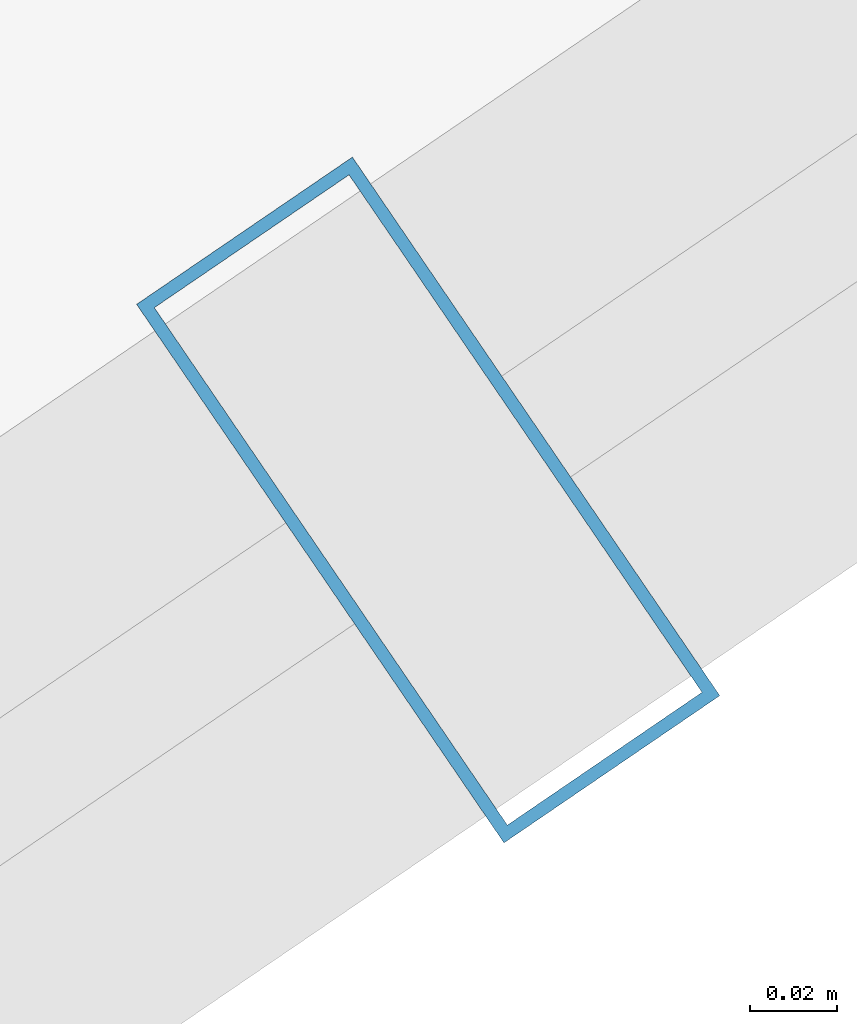
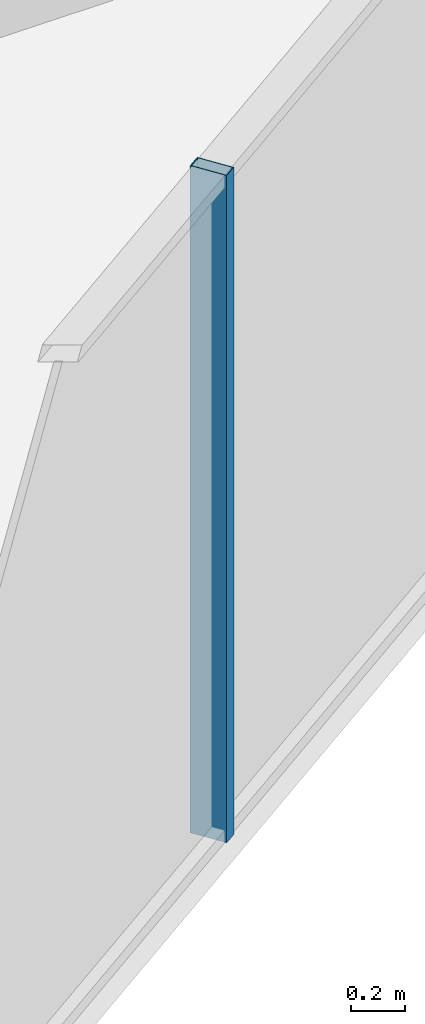
# One storey, part 8 of 34: 1 member, 1 element without a shape of its own.
"""IFC4 building model written with IfcOpenShell, lengths in metres."""

import ifcopenshell
import ifcopenshell.guid

model = None  # the IFC model being written
_history = None  # IfcOwnerHistory: only IFC2X3 demands one
_inside = {}  # id of a spatial element -> (the spatial element, [elements in it])
_under = {}  # id of a project, library or spatial element -> (it, [spatial elements below it])
_declared = {}  # id of a project -> (the project, [libraries it declares])
_typed = {}  # id of a type object -> (the type object, [elements of that type])
_made_of = {}  # id of a material, layer set ... -> (it, [elements and type objects made of it])


def new_model(schema):
    """Start an empty IFC model of exactly this schema.

    Asked for "IFC4X3", IfcOpenShell would pick the latest addendum, in which some entities
    have other attributes; the version numbers below select the first issue.
    IFC2X3 requires an IfcOwnerHistory on every rooted entity: one is made here for all.
    """
    global model, _history
    if schema == "IFC4X3":
        model = ifcopenshell.file(schema_version=(4, 3, 0, 0))
    else:
        model = ifcopenshell.file(schema=schema)
    _inside.clear()
    _under.clear()
    _declared.clear()
    _typed.clear()
    _made_of.clear()
    _history = None
    if model.schema == "IFC2X3":
        org = make("IfcOrganization", Name="unknown")
        user = make(
            "IfcPersonAndOrganization",
            ThePerson=make("IfcPerson", FamilyName="unknown"),
            TheOrganization=org,
        )
        app = make(
            "IfcApplication",
            ApplicationDeveloper=org,
            Version="unknown",
            ApplicationFullName="unknown",
            ApplicationIdentifier="unknown",
        )
        _history = make(
            "IfcOwnerHistory",
            OwningUser=user,
            OwningApplication=app,
            ChangeAction="ADDED",
            CreationDate=0,
        )
    return model


def make(cls, **values):
    """One entity of the class cls with the attributes given. An attribute that is None is left unset."""
    return model.create_entity(
        cls, **{name: value for name, value in values.items() if value is not None}
    )


def rooted(cls, **values):
    """An entity with a GlobalId (a new one), such as an element, a storey or a relation."""
    return make(cls, GlobalId=ifcopenshell.guid.new(), OwnerHistory=_history, **values)


def si_unit(unit_type, name, prefix=None):
    """IfcSIUnit, for example si_unit("LENGTHUNIT", "METRE", prefix="MILLI")."""
    return make("IfcSIUnit", UnitType=unit_type, Prefix=prefix, Name=name)


def assignment(units):
    """IfcUnitAssignment: the units of a project."""
    return None if units is None else make("IfcUnitAssignment", Units=units)


def point(xyz):
    """IfcCartesianPoint."""
    return None if xyz is None else make("IfcCartesianPoint", Coordinates=xyz)


def direction(xyz):
    """IfcDirection."""
    return None if xyz is None else make("IfcDirection", DirectionRatios=xyz)


def frame(location, z_axis=None, x_axis=None):
    """IfcAxis2Placement3D, a coordinate frame: its origin and axes. An axis left out is left unset."""
    return make(
        "IfcAxis2Placement3D",
        Location=point(location),
        Axis=direction(z_axis),
        RefDirection=direction(x_axis),
    )


def frame_2d(location, x_axis=None):
    """IfcAxis2Placement2D, a coordinate frame in the plane: its origin and x axis."""
    return make(
        "IfcAxis2Placement2D", Location=point(location), RefDirection=direction(x_axis)
    )


def origin():
    """The frame at (0, 0, 0) with its axes left unset."""
    return frame((0.0, 0.0, 0.0))


def origin_2d():
    """The frame at (0, 0) in the plane with its x axis left unset."""
    return frame_2d((0.0, 0.0))


def place(relative_to, where):
    """IfcLocalPlacement: puts the frame where relative to a parent placement (None: the world)."""
    return make(
        "IfcLocalPlacement", PlacementRelTo=relative_to, RelativePlacement=where
    )


def context(
    kind, dimensions, precision=None, world=None, true_north=None, identifier=None
):
    """IfcGeometricRepresentationContext, for example the 3D "Model" context."""
    return make(
        "IfcGeometricRepresentationContext",
        ContextIdentifier=identifier,
        ContextType=kind,
        CoordinateSpaceDimension=dimensions,
        Precision=precision,
        WorldCoordinateSystem=world,
        TrueNorth=true_north,
    )


def subcontext(parent, identifier, kind, view, scale=None):
    """IfcGeometricRepresentationSubContext, for example "Body" below "Model"."""
    return make(
        "IfcGeometricRepresentationSubContext",
        ContextIdentifier=identifier,
        ContextType=kind,
        ParentContext=parent,
        TargetScale=scale,
        TargetView=view,
    )


def project(units=None, contexts=None):
    """IfcProject with its units and contexts."""
    return rooted(
        "IfcProject",
        Name="project",
        RepresentationContexts=contexts,
        UnitsInContext=assignment(units),
    )


def spatial(cls, under=None, at=None, **own):
    """A site, building, storey or space (cls), placed at a placement, below another one or the project."""
    s = rooted(cls, ObjectPlacement=at, **own)
    if under is not None:
        _under.setdefault(under.id(), (under, []))[1].append(s)
    return s


def profile(cls, at=None, kind="AREA", **sizes):
    """A parametric profile (cls). Its sizes go by their IFC names, for example OverallWidth=200.0."""
    return make(cls, ProfileType=kind, Position=at, **sizes)


def hollow_rectangle(**sizes):
    """IfcRectangleHollowProfileDef."""
    return profile("IfcRectangleHollowProfileDef", **sizes)


def extrude(swept, where, along, depth):
    """IfcExtrudedAreaSolid: the profile swept, set in the frame where, extruded along a direction by depth."""
    return make(
        "IfcExtrudedAreaSolid",
        SweptArea=swept,
        Position=where,
        ExtrudedDirection=direction(along),
        Depth=depth,
    )


def shape(context_of_items, identifier, shape_type, items):
    """IfcShapeRepresentation: the items that make up one representation, for example the "Body"."""
    return make(
        "IfcShapeRepresentation",
        ContextOfItems=context_of_items,
        RepresentationIdentifier=identifier,
        RepresentationType=shape_type,
        Items=items,
    )


def source(mapping_origin, context_of_items, identifier, shape_type, items):
    """IfcRepresentationMap: a shape defined once, which mapped items show again and again."""
    return make(
        "IfcRepresentationMap",
        MappingOrigin=mapping_origin,
        MappedRepresentation=shape(context_of_items, identifier, shape_type, items),
    )


def transform(
    local_origin,
    x_axis=None,
    y_axis=None,
    z_axis=None,
    scale=None,
    scale2=None,
    scale3=None,
    uniform=True,
):
    """IfcCartesianTransformationOperator3D, or its non-uniform kind. x_axis, y_axis, z_axis: its Axis1, 2, 3."""
    if uniform:
        return make(
            "IfcCartesianTransformationOperator3D",
            Axis1=direction(x_axis),
            Axis2=direction(y_axis),
            LocalOrigin=point(local_origin),
            Scale=scale,
            Axis3=direction(z_axis),
        )
    return make(
        "IfcCartesianTransformationOperator3DnonUniform",
        Axis1=direction(x_axis),
        Axis2=direction(y_axis),
        LocalOrigin=point(local_origin),
        Scale=scale,
        Axis3=direction(z_axis),
        Scale2=scale2,
        Scale3=scale3,
    )


def mapped(mapping_source, mapping_target):
    """IfcMappedItem: shows the shape of a source again, moved by a transform."""
    return make(
        "IfcMappedItem", MappingSource=mapping_source, MappingTarget=mapping_target
    )


def material(Name=None, Category=None):
    """IfcMaterial."""
    return make("IfcMaterial", Name=Name, Category=Category)


def layer(
    of_material, thickness, ventilated=None, Name=None, Category=None, Priority=None
):
    """IfcMaterialLayer: one layer of a wall or slab, of a material (None: an air gap)."""
    return make(
        "IfcMaterialLayer",
        Material=of_material,
        LayerThickness=thickness,
        IsVentilated=ventilated,
        Name=Name,
        Category=Category,
        Priority=Priority,
    )


def layer_set(layers, Name=None):
    """IfcMaterialLayerSet."""
    return make("IfcMaterialLayerSet", MaterialLayers=layers, LayerSetName=Name)


def material_profile(
    of_material, cross_section, Name=None, Category=None, Priority=None
):
    """IfcMaterialProfile: a cross section and its material."""
    return make(
        "IfcMaterialProfile",
        Name=Name,
        Material=of_material,
        Profile=cross_section,
        Priority=Priority,
        Category=Category,
    )


def profile_set(profiles, Name=None, composite=None):
    """IfcMaterialProfileSet."""
    return make(
        "IfcMaterialProfileSet",
        Name=Name,
        MaterialProfiles=profiles,
        CompositeProfile=composite,
    )


def made_of(thing, what):
    """Note that an element or type object is made of a material, layer set ...; save() writes the relation."""
    if what is not None:
        _made_of.setdefault(what.id(), (what, []))[1].append(thing)
    return thing


def type_object(cls, material=None, **own):
    """A type object (cls), such as IfcWallType, which elements share."""
    return made_of(rooted(cls, **own), material)


def element(
    cls,
    number,
    at=None,
    inside=None,
    cuts=None,
    type_object=None,
    material=None,
    context=None,
    identifier="Body",
    shape_type=None,
    held_by="IfcProductDefinitionShape",
    body=None,
    shapes=None,
    **own,
):
    """One element of the class cls, such as IfcWall. Its Tag is "e" and its number.

    at: its placement. inside: the storey or other place that contains it. cuts: it is an
    opening in that element (IfcRelVoidsElement). A single representation is given by context,
    identifier, shape_type and body (its items); several are given by shapes. held_by: the class
    of the entity that holds the representations. save() writes the other relations.
    """
    e = rooted(cls, Tag="e%d" % number, ObjectPlacement=at, **own)
    if body is not None:
        shapes = [shape(context, identifier, shape_type, body)]
    if shapes is not None:
        e.Representation = make(held_by, Representations=shapes)
    if inside is not None:
        _inside.setdefault(inside.id(), (inside, []))[1].append(e)
    if cuts is not None:
        rooted(
            "IfcRelVoidsElement", RelatingBuildingElement=cuts, RelatedOpeningElement=e
        )
    if type_object is not None:
        _typed.setdefault(type_object.id(), (type_object, []))[1].append(e)
    return made_of(e, material)


def aggregate(whole, parts):
    """IfcRelAggregates: a whole, such as a stair, and the parts it consists of."""
    return rooted("IfcRelAggregates", RelatingObject=whole, RelatedObjects=parts)


def save(model, path):
    """Write the relations noted so far, then the file.

    IfcRelAggregates (storeys below a building ...), IfcRelContainedInSpatialStructure (elements
    in a storey), IfcRelDefinesByType, IfcRelAssociatesMaterial and IfcRelDeclares: one each for
    every whole, place, type object, material and project.
    """
    for whole, parts in _under.values():
        aggregate(whole, parts)
    for where, things in _inside.values():
        rooted(
            "IfcRelContainedInSpatialStructure",
            RelatedElements=things,
            RelatingStructure=where,
        )
    for kind, things in _typed.values():
        rooted("IfcRelDefinesByType", RelatedObjects=things, RelatingType=kind)
    for what, things in _made_of.values():
        rooted("IfcRelAssociatesMaterial", RelatedObjects=things, RelatingMaterial=what)
    for by, libraries in _declared.values():
        rooted("IfcRelDeclares", RelatingContext=by, RelatedDefinitions=libraries)
    model.write(path)


model = new_model("IFC4")

# Units and contexts
model_context = context("Model", 3, precision=1e-05, world=origin(), true_north=direction((0.0, 1.0)))
body_context = subcontext(model_context, "Body", "Model", "MODEL_VIEW")
ifc_project = project(units=[si_unit("LENGTHUNIT", "METRE"), si_unit("AREAUNIT", "SQUARE_METRE"), si_unit("VOLUMEUNIT", "CUBIC_METRE"), si_unit("PLANEANGLEUNIT", "RADIAN"), si_unit("MASSUNIT", "GRAM", prefix="KILO")], contexts=[model_context])

# Site, building, storey
site_placement = place(None, origin())
site = spatial("IfcSite", under=ifc_project, at=site_placement, CompositionType="ELEMENT")
building_placement = place(site_placement, origin())
building = spatial("IfcBuilding", under=site, at=building_placement, Name="Veraguas Prism Commons", CompositionType="ELEMENT")
storey_placement = place(building_placement, frame((0.0, 0.0, 191.85009765625)))
storey = spatial("IfcBuildingStorey", under=building, at=storey_placement, Name="L54", CompositionType="ELEMENT", Elevation=191.85009765625)

# Curtain wall, member
ifc_material = material(Name="Anodised aluminium EN AW-6063 T6", Category="aluminium")
ifc_layer = layer(ifc_material, 0.14990234375, Name="Unitised Flush Curtain Wall Zone 3", Category="aluminium")
ifc_layer_set = layer_set([ifc_layer], Name="Anodised aluminium EN AW-6063 T6")
curtain_wall_type = type_object("IfcCurtainWallType", Name="Unitised Flush Curtain Wall Zone 3", PredefinedType="NOTDEFINED", material=ifc_layer_set)
curtain_wall_placement = place(storey_placement, origin())
curtain_wall = element("IfcCurtainWall", 1, at=curtain_wall_placement, inside=storey, type_object=curtain_wall_type, Name="Tower Facade Curtain Wall L54-F5", PredefinedType="NOTDEFINED")
ifc_material_profile = material_profile(ifc_material, hollow_rectangle(XDim=0.06005859375, YDim=0.14990234375, WallThickness=0.0029296875, at=origin_2d()), Name="AL60X150X3")
ifc_profile_set = profile_set([ifc_material_profile], Name="Anodised aluminium EN AW-6063 T6")
member_type = type_object("IfcMemberType", Name="Curtain Wall Mullion Upper AL 60x150x3", PredefinedType="MULLION", material=ifc_profile_set)
shared_shape = source(origin(), body_context, "Body", "SweptSolid", [
    extrude(hollow_rectangle(XDim=0.06005859375, YDim=0.14990234375, WallThickness=0.0029296875, at=origin_2d()), origin(), (0.0, 0.0, 1.0), 3.014892578125),
])
member_placement = place(storey_placement, frame((33.980224609375, 9.36962890625, 0.0), z_axis=(0.0, 0.0, 1.0), x_axis=(0.826095343869, 0.56353037437, 0.0)))
member = element("IfcMember", 2, at=member_placement, type_object=member_type, Name="CW-Z3 Mullion 3", PredefinedType="MULLION", context=body_context, shape_type="MappedRepresentation", body=[
    mapped(shared_shape, transform((0.0, 0.0, 0.0), scale=1.0)),
])
aggregate(curtain_wall, [member])

save(model, "model.ifc")
